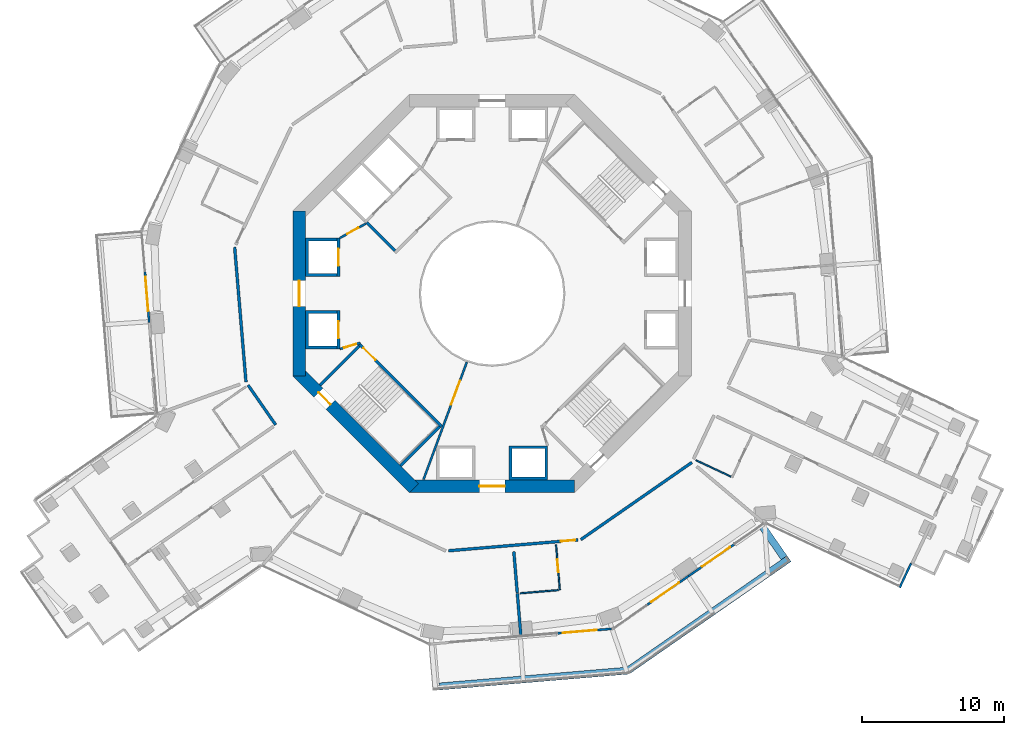
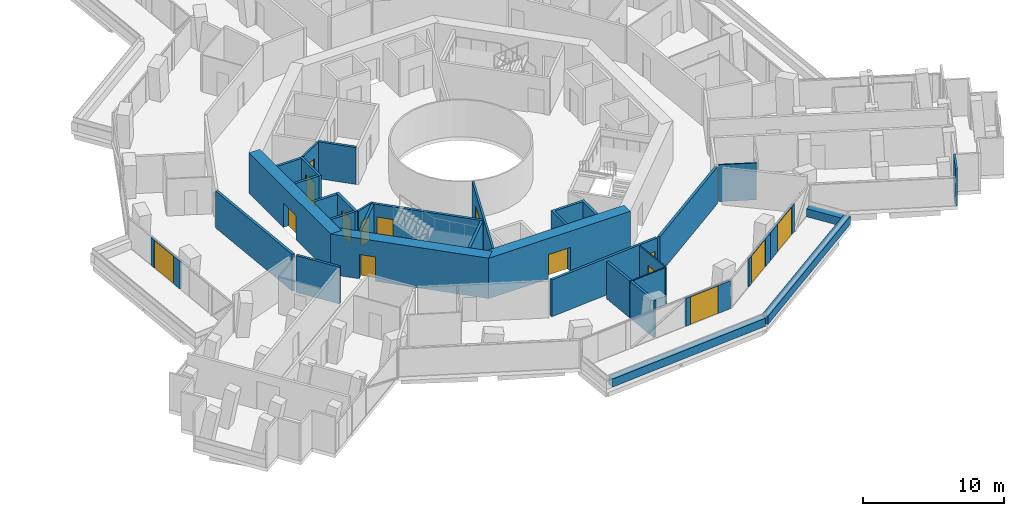
# One storey, part 19 of 26: 32 walls, 15 doors, 15 openings.
"""IFC4 building model written with IfcOpenShell, lengths in metres."""

import ifcopenshell
import ifcopenshell.guid

model = None  # the IFC model being written
_history = None  # IfcOwnerHistory: only IFC2X3 demands one
_inside = {}  # id of a spatial element -> (the spatial element, [elements in it])
_under = {}  # id of a project, library or spatial element -> (it, [spatial elements below it])
_declared = {}  # id of a project -> (the project, [libraries it declares])
_typed = {}  # id of a type object -> (the type object, [elements of that type])
_made_of = {}  # id of a material, layer set ... -> (it, [elements and type objects made of it])


def new_model(schema):
    """Start an empty IFC model of exactly this schema.

    Asked for "IFC4X3", IfcOpenShell would pick the latest addendum, in which some entities
    have other attributes; the version numbers below select the first issue.
    IFC2X3 requires an IfcOwnerHistory on every rooted entity: one is made here for all.
    """
    global model, _history
    if schema == "IFC4X3":
        model = ifcopenshell.file(schema_version=(4, 3, 0, 0))
    else:
        model = ifcopenshell.file(schema=schema)
    _inside.clear()
    _under.clear()
    _declared.clear()
    _typed.clear()
    _made_of.clear()
    _history = None
    if model.schema == "IFC2X3":
        org = make("IfcOrganization", Name="unknown")
        user = make(
            "IfcPersonAndOrganization",
            ThePerson=make("IfcPerson", FamilyName="unknown"),
            TheOrganization=org,
        )
        app = make(
            "IfcApplication",
            ApplicationDeveloper=org,
            Version="unknown",
            ApplicationFullName="unknown",
            ApplicationIdentifier="unknown",
        )
        _history = make(
            "IfcOwnerHistory",
            OwningUser=user,
            OwningApplication=app,
            ChangeAction="ADDED",
            CreationDate=0,
        )
    return model


def make(cls, **values):
    """One entity of the class cls with the attributes given. An attribute that is None is left unset."""
    return model.create_entity(
        cls, **{name: value for name, value in values.items() if value is not None}
    )


def rooted(cls, **values):
    """An entity with a GlobalId (a new one), such as an element, a storey or a relation."""
    return make(cls, GlobalId=ifcopenshell.guid.new(), OwnerHistory=_history, **values)


def si_unit(unit_type, name, prefix=None):
    """IfcSIUnit, for example si_unit("LENGTHUNIT", "METRE", prefix="MILLI")."""
    return make("IfcSIUnit", UnitType=unit_type, Prefix=prefix, Name=name)


def assignment(units):
    """IfcUnitAssignment: the units of a project."""
    return None if units is None else make("IfcUnitAssignment", Units=units)


def point(xyz):
    """IfcCartesianPoint."""
    return None if xyz is None else make("IfcCartesianPoint", Coordinates=xyz)


def direction(xyz):
    """IfcDirection."""
    return None if xyz is None else make("IfcDirection", DirectionRatios=xyz)


def frame(location, z_axis=None, x_axis=None):
    """IfcAxis2Placement3D, a coordinate frame: its origin and axes. An axis left out is left unset."""
    return make(
        "IfcAxis2Placement3D",
        Location=point(location),
        Axis=direction(z_axis),
        RefDirection=direction(x_axis),
    )


def frame_2d(location, x_axis=None):
    """IfcAxis2Placement2D, a coordinate frame in the plane: its origin and x axis."""
    return make(
        "IfcAxis2Placement2D", Location=point(location), RefDirection=direction(x_axis)
    )


def origin():
    """The frame at (0, 0, 0) with its axes left unset."""
    return frame((0.0, 0.0, 0.0))


def place(relative_to, where):
    """IfcLocalPlacement: puts the frame where relative to a parent placement (None: the world)."""
    return make(
        "IfcLocalPlacement", PlacementRelTo=relative_to, RelativePlacement=where
    )


def context(
    kind, dimensions, precision=None, world=None, true_north=None, identifier=None
):
    """IfcGeometricRepresentationContext, for example the 3D "Model" context."""
    return make(
        "IfcGeometricRepresentationContext",
        ContextIdentifier=identifier,
        ContextType=kind,
        CoordinateSpaceDimension=dimensions,
        Precision=precision,
        WorldCoordinateSystem=world,
        TrueNorth=true_north,
    )


def subcontext(parent, identifier, kind, view, scale=None):
    """IfcGeometricRepresentationSubContext, for example "Body" below "Model"."""
    return make(
        "IfcGeometricRepresentationSubContext",
        ContextIdentifier=identifier,
        ContextType=kind,
        ParentContext=parent,
        TargetScale=scale,
        TargetView=view,
    )


def project(units=None, contexts=None):
    """IfcProject with its units and contexts."""
    return rooted(
        "IfcProject",
        Name="project",
        RepresentationContexts=contexts,
        UnitsInContext=assignment(units),
    )


def spatial(cls, under=None, at=None, **own):
    """A site, building, storey or space (cls), placed at a placement, below another one or the project."""
    s = rooted(cls, ObjectPlacement=at, **own)
    if under is not None:
        _under.setdefault(under.id(), (under, []))[1].append(s)
    return s


def polyline(points):
    """IfcPolyline through the points."""
    return make("IfcPolyline", Points=[point(p) for p in points])


def profile(cls, at=None, kind="AREA", **sizes):
    """A parametric profile (cls). Its sizes go by their IFC names, for example OverallWidth=200.0."""
    return make(cls, ProfileType=kind, Position=at, **sizes)


def rectangle(**sizes):
    """IfcRectangleProfileDef."""
    return profile("IfcRectangleProfileDef", **sizes)


def outline(outer, holes=None, kind="AREA"):
    """IfcArbitraryClosedProfileDef: a profile drawn as a closed curve; with holes, ...WithVoids."""
    if holes is None:
        return make("IfcArbitraryClosedProfileDef", ProfileType=kind, OuterCurve=outer)
    return make(
        "IfcArbitraryProfileDefWithVoids",
        ProfileType=kind,
        OuterCurve=outer,
        InnerCurves=holes,
    )


def extrude(swept, where, along, depth):
    """IfcExtrudedAreaSolid: the profile swept, set in the frame where, extruded along a direction by depth."""
    return make(
        "IfcExtrudedAreaSolid",
        SweptArea=swept,
        Position=where,
        ExtrudedDirection=direction(along),
        Depth=depth,
    )


def shape(context_of_items, identifier, shape_type, items):
    """IfcShapeRepresentation: the items that make up one representation, for example the "Body"."""
    return make(
        "IfcShapeRepresentation",
        ContextOfItems=context_of_items,
        RepresentationIdentifier=identifier,
        RepresentationType=shape_type,
        Items=items,
    )


def material(Name=None, Category=None):
    """IfcMaterial."""
    return make("IfcMaterial", Name=Name, Category=Category)


def layer(
    of_material, thickness, ventilated=None, Name=None, Category=None, Priority=None
):
    """IfcMaterialLayer: one layer of a wall or slab, of a material (None: an air gap)."""
    return make(
        "IfcMaterialLayer",
        Material=of_material,
        LayerThickness=thickness,
        IsVentilated=ventilated,
        Name=Name,
        Category=Category,
        Priority=Priority,
    )


def layer_set(layers, Name=None):
    """IfcMaterialLayerSet."""
    return make("IfcMaterialLayerSet", MaterialLayers=layers, LayerSetName=Name)


def made_of(thing, what):
    """Note that an element or type object is made of a material, layer set ...; save() writes the relation."""
    if what is not None:
        _made_of.setdefault(what.id(), (what, []))[1].append(thing)
    return thing


def type_object(cls, material=None, **own):
    """A type object (cls), such as IfcWallType, which elements share."""
    return made_of(rooted(cls, **own), material)


def element(
    cls,
    number,
    at=None,
    inside=None,
    cuts=None,
    type_object=None,
    material=None,
    context=None,
    identifier="Body",
    shape_type=None,
    held_by="IfcProductDefinitionShape",
    body=None,
    shapes=None,
    **own,
):
    """One element of the class cls, such as IfcWall. Its Tag is "e" and its number.

    at: its placement. inside: the storey or other place that contains it. cuts: it is an
    opening in that element (IfcRelVoidsElement). A single representation is given by context,
    identifier, shape_type and body (its items); several are given by shapes. held_by: the class
    of the entity that holds the representations. save() writes the other relations.
    """
    e = rooted(cls, Tag="e%d" % number, ObjectPlacement=at, **own)
    if body is not None:
        shapes = [shape(context, identifier, shape_type, body)]
    if shapes is not None:
        e.Representation = make(held_by, Representations=shapes)
    if inside is not None:
        _inside.setdefault(inside.id(), (inside, []))[1].append(e)
    if cuts is not None:
        rooted(
            "IfcRelVoidsElement", RelatingBuildingElement=cuts, RelatedOpeningElement=e
        )
    if type_object is not None:
        _typed.setdefault(type_object.id(), (type_object, []))[1].append(e)
    return made_of(e, material)


def fill(opening, filler):
    """IfcRelFillsElement: the door or window that sits in an opening."""
    return rooted(
        "IfcRelFillsElement",
        RelatingOpeningElement=opening,
        RelatedBuildingElement=filler,
    )


def aggregate(whole, parts):
    """IfcRelAggregates: a whole, such as a stair, and the parts it consists of."""
    return rooted("IfcRelAggregates", RelatingObject=whole, RelatedObjects=parts)


def save(model, path):
    """Write the relations noted so far, then the file.

    IfcRelAggregates (storeys below a building ...), IfcRelContainedInSpatialStructure (elements
    in a storey), IfcRelDefinesByType, IfcRelAssociatesMaterial and IfcRelDeclares: one each for
    every whole, place, type object, material and project.
    """
    for whole, parts in _under.values():
        aggregate(whole, parts)
    for where, things in _inside.values():
        rooted(
            "IfcRelContainedInSpatialStructure",
            RelatedElements=things,
            RelatingStructure=where,
        )
    for kind, things in _typed.values():
        rooted("IfcRelDefinesByType", RelatedObjects=things, RelatingType=kind)
    for what, things in _made_of.values():
        rooted("IfcRelAssociatesMaterial", RelatedObjects=things, RelatingMaterial=what)
    for by, libraries in _declared.values():
        rooted("IfcRelDeclares", RelatingContext=by, RelatedDefinitions=libraries)
    model.write(path)


model = new_model("IFC4")

# Units and contexts
model_context = context("Model", 3, precision=1e-05, world=origin(), true_north=direction((0.0, 1.0)))
body_context = subcontext(model_context, "Body", "Model", "MODEL_VIEW")
ifc_project = project(units=[si_unit("LENGTHUNIT", "METRE"), si_unit("AREAUNIT", "SQUARE_METRE"), si_unit("VOLUMEUNIT", "CUBIC_METRE"), si_unit("PLANEANGLEUNIT", "RADIAN"), si_unit("MASSUNIT", "GRAM", prefix="KILO")], contexts=[model_context])

# Site, building, storey
site_placement = place(None, origin())
site = spatial("IfcSite", under=ifc_project, at=site_placement, CompositionType="ELEMENT")
building_placement = place(site_placement, origin())
building = spatial("IfcBuilding", under=site, at=building_placement, Name="Verdalira Terraces Hotel", CompositionType="ELEMENT")
storey_placement = place(building_placement, frame((0.0, 0.0, 53.0)))
storey = spatial("IfcBuildingStorey", under=building, at=storey_placement, Name="L11", CompositionType="ELEMENT", Elevation=53.0)

# Walls
ifc_material_1 = material(Name="Concrete C40", Category="concrete")
ifc_layer_1 = layer(ifc_material_1, 0.5)
ifc_layer_set_1 = layer_set([ifc_layer_1], Name="Balcony planter trough with tree")
wall_type_1 = type_object("IfcWallType", Name="Balcony planter trough with tree", PredefinedType="SOLIDWALL", material=ifc_layer_set_1)
wall_1_placement = place(storey_placement, frame((-3.702148, -27.61499, 0.0), z_axis=(0.0, 0.0, 1.0), x_axis=(0.996493228, 0.083673454, 0.0)))
element("IfcWall", 1, at=wall_1_placement, inside=storey, type_object=wall_type_1, Name="Balcony planter", PredefinedType="SOLIDWALL", context=body_context, shape_type="SweptSolid", body=[
    extrude(rectangle(XDim=13.223389, YDim=0.5, at=frame_2d((6.611816, 0.0))), origin(), (0.0, 0.0, 1.0), 0.699951),
])
wall_2_placement = place(storey_placement, frame((9.59668, -26.4646, 0.0), z_axis=(0.0, 0.0, 1.0), x_axis=(0.821154593, 0.570705822, 0.0)))
element("IfcWall", 2, at=wall_2_placement, inside=storey, type_object=wall_type_1, Name="Balcony planter", PredefinedType="SOLIDWALL", context=body_context, shape_type="SweptSolid", body=[
    extrude(rectangle(XDim=13.723389, YDim=0.5, at=frame_2d((6.861816, 0.0))), origin(), (0.0, 0.0, 1.0), 0.699951),
])
wall_3_placement = place(storey_placement, frame((20.517578, -18.569824, 0.0), z_axis=(0.0, 0.0, 1.0), x_axis=(-0.570690734, 0.821165079, 0.0)))
element("IfcWall", 3, at=wall_3_placement, inside=storey, type_object=wall_type_1, Name="Balcony planter", PredefinedType="SOLIDWALL", context=body_context, shape_type="SweptSolid", body=[
    extrude(rectangle(XDim=2.698975, YDim=0.5, at=frame_2d((1.349609, 0.0))), origin(), (0.0, 0.0, 1.0), 0.699951),
])
ifc_material_2 = material(Name="Moisture-resistant gypsum board partition")
ifc_layer_2 = layer(ifc_material_2, 0.10009765625)
ifc_layer_set_2 = layer_set([ifc_layer_2], Name="Bathroom partition 100 mm")
wall_type_2 = type_object("IfcWallType", Name="Bathroom partition 100 mm", PredefinedType="PARTITIONING", material=ifc_layer_set_2)
wall_4_placement = place(storey_placement, frame((4.6604, -20.841553, 0.0), z_axis=(0.0, 0.0, 1.0), x_axis=(-0.996496321, -0.083636612, 0.0)))
element("IfcWall", 4, at=wall_4_placement, inside=storey, type_object=wall_type_2, Name="Bathroom partition", PredefinedType="PARTITIONING", context=body_context, shape_type="SweptSolid", body=[
    extrude(rectangle(XDim=2.700195, YDim=0.100098, at=frame_2d((1.350098, 0.0))), origin(), (0.0, 0.0, 1.0), 3.189941),
])

# Wall, opening, door
wall_5_placement = place(storey_placement, frame((4.76001, -20.833008, 0.0), z_axis=(0.0, 0.0, 1.0), x_axis=(-0.083695813, 0.99649135, 0.0)))
wall_5 = element("IfcWall", 5, at=wall_5_placement, inside=storey, type_object=wall_type_2, Name="Bathroom partition", PredefinedType="PARTITIONING", context=body_context, shape_type="SweptSolid", body=[
    extrude(rectangle(XDim=3.199951, YDim=0.100098, at=frame_2d((1.600098, 0.0))), origin(), (0.0, 0.0, 1.0), 3.189941),
])
opening_1_placement = place(wall_5_placement, frame((1.25, 0.0, 0.0)))
opening_1 = element("IfcOpeningElement", 6, at=opening_1_placement, cuts=wall_5, Name="Opening L11-124", PredefinedType="OPENING", context=body_context, shape_type="SweptSolid", body=[
    extrude(rectangle(XDim=0.899902, YDim=2.100098, at=frame_2d((0.449951, 1.050049))), frame((0.0, 0.060059, 0.0), z_axis=(0.0, -1.0, 0.0), x_axis=(1.0, 0.0, 0.0)), (0.0, 0.0, 1.0), 0.120117),
])
ifc_material_3 = material(Name="Timber door", Category="wood")
door_type_1 = type_object("IfcDoorType", Name="Bathroom door 900 x 2100", OperationType="NOTDEFINED", PredefinedType="DOOR", material=ifc_material_3)
door_1_placement = place(opening_1_placement, origin())
door_1 = element("IfcDoor", 7, at=door_1_placement, inside=storey, type_object=door_type_1, Name="Bathroom door 1110", OperationType="SINGLE_SWING_LEFT", OverallHeight=2.10009765625, OverallWidth=0.89990234375, PredefinedType="DOOR", context=body_context, shape_type="SweptSolid", body=[
    extrude(rectangle(XDim=0.899902, YDim=2.100098, at=frame_2d((0.449951, 1.050049))), frame((0.0, 0.024902, 0.0), z_axis=(0.0, -1.0, 0.0), x_axis=(1.0, 0.0, 0.0)), (0.0, 0.0, 1.0), 0.050049),
])
fill(opening_1, door_1)

# Walls
wall_6_placement = place(storey_placement, frame((16.776123, -12.867676, 0.0), z_axis=(0.0, 0.0, 1.0), x_axis=(-0.904808455, 0.42581881, 0.0)))
element("IfcWall", 8, at=wall_6_placement, inside=storey, type_object=wall_type_2, Name="Bathroom partition", PredefinedType="PARTITIONING", context=body_context, shape_type="SweptSolid", body=[
    extrude(rectangle(XDim=2.699951, YDim=0.100098, at=frame_2d((1.350098, 0.0))), origin(), (0.0, 0.0, 1.0), 3.189941),
])
ifc_material_4 = material(Name="Concrete C50", Category="concrete")
ifc_layer_3 = layer(ifc_material_4, 0.199951171875)
ifc_layer_set_3 = layer_set([ifc_layer_3], Name="Core RC wall 200 C50")
wall_type_3 = type_object("IfcWallType", Name="Core RC wall 200 C50", PredefinedType="SOLIDWALL", material=ifc_layer_set_3)
wall_7_placement = place(storey_placement, origin())
element("IfcWall", 9, at=wall_7_placement, inside=storey, type_object=wall_type_3, Name="L11 shaft wall W1", PredefinedType="SOLIDWALL", context=body_context, shape_type="SweptSolid", body=[
    extrude(outline(polyline([(-13.100098, 3.899902), (-10.899902, 3.899902), (-10.899902, 3.699951), (-12.899902, 3.699951), (-12.899902, 1.399902), (-10.899902, 1.399902), (-10.899902, 1.199951), (-13.100098, 1.199951), (-13.100098, 3.899902)])), origin(), (0.0, 0.0, 1.0), 3.189941),
])

# Wall, opening, door
wall_8_placement = place(storey_placement, frame((-10.800049, 1.199951, 0.0), z_axis=(0.0, 0.0, 1.0), x_axis=(0.0, 1.0, 0.0)))
wall_8 = element("IfcWall", 10, at=wall_8_placement, inside=storey, type_object=wall_type_3, Name="L11 shaft front wall W1", PredefinedType="SOLIDWALL", context=body_context, shape_type="SweptSolid", body=[
    extrude(rectangle(XDim=2.699951, YDim=0.199951, at=frame_2d((1.350098, 0.0))), origin(), (0.0, 0.0, 1.0), 3.189941),
])
opening_2_placement = place(wall_8_placement, frame((0.75, 0.0, 0.0)))
opening_2 = element("IfcOpeningElement", 11, at=opening_2_placement, cuts=wall_8, Name="Opening LD-L11-805", PredefinedType="OPENING", context=body_context, shape_type="SweptSolid", body=[
    extrude(rectangle(XDim=1.199951, YDim=2.100098, at=frame_2d((0.600098, 1.050049))), frame((0.0, 0.109863, 0.0), z_axis=(0.0, -1.0, 0.0), x_axis=(1.0, 0.0, 0.0)), (0.0, 0.0, 1.0), 0.219971),
])
ifc_material_5 = material(Name="Stainless steel", Category="steel")
door_type_2 = type_object("IfcDoorType", Name="Landing door 1200 x 2100", OperationType="NOTDEFINED", PredefinedType="DOOR", material=ifc_material_5)
door_2_placement = place(opening_2_placement, origin())
door_2 = element("IfcDoor", 12, at=door_2_placement, inside=storey, type_object=door_type_2, Name="Lift landing door LR5 L11", OperationType="DOUBLE_DOOR_SLIDING", OverallHeight=2.10009765625, OverallWidth=1.199951171875, PredefinedType="DOOR", context=body_context, shape_type="SweptSolid", body=[
    extrude(rectangle(XDim=1.199951, YDim=2.100098, at=frame_2d((0.600098, 1.050049))), frame((0.0, 0.024902, 0.0), z_axis=(0.0, -1.0, 0.0), x_axis=(1.0, 0.0, 0.0)), (0.0, 0.0, 1.0), 0.050049),
])
fill(opening_2, door_2)

# Wall
wall_9_placement = place(storey_placement, origin())
element("IfcWall", 13, at=wall_9_placement, inside=storey, type_object=wall_type_3, Name="L11 shaft wall W2", PredefinedType="SOLIDWALL", context=body_context, shape_type="SweptSolid", body=[
    extrude(outline(polyline([(-13.100098, -3.899902), (-13.100098, -1.199951), (-10.899902, -1.199951), (-10.899902, -1.399902), (-12.899902, -1.399902), (-12.899902, -3.699951), (-10.899902, -3.699951), (-10.899902, -3.899902), (-13.100098, -3.899902)])), origin(), (0.0, 0.0, 1.0), 3.189941),
])

# Wall, opening, door
wall_10_placement = place(storey_placement, frame((-10.800049, -1.199951, 0.0), z_axis=(0.0, 0.0, 1.0), x_axis=(0.0, -1.0, 0.0)))
wall_10 = element("IfcWall", 14, at=wall_10_placement, inside=storey, type_object=wall_type_3, Name="L11 shaft front wall W2", PredefinedType="SOLIDWALL", context=body_context, shape_type="SweptSolid", body=[
    extrude(rectangle(XDim=2.699951, YDim=0.199951, at=frame_2d((1.350098, 0.0))), origin(), (0.0, 0.0, 1.0), 3.189941),
])
opening_3_placement = place(wall_10_placement, frame((0.75, 0.0, 0.0)))
opening_3 = element("IfcOpeningElement", 15, at=opening_3_placement, cuts=wall_10, Name="Opening LD-L11-806", PredefinedType="OPENING", context=body_context, shape_type="SweptSolid", body=[
    extrude(rectangle(XDim=1.199951, YDim=2.100098, at=frame_2d((0.600098, 1.050049))), frame((0.0, 0.109863, 0.0), z_axis=(0.0, -1.0, 0.0), x_axis=(1.0, 0.0, 0.0)), (0.0, 0.0, 1.0), 0.219971),
])
door_3_placement = place(opening_3_placement, origin())
door_3 = element("IfcDoor", 16, at=door_3_placement, inside=storey, type_object=door_type_2, Name="Lift landing door LR6 L11", OperationType="DOUBLE_DOOR_SLIDING", OverallHeight=2.10009765625, OverallWidth=1.199951171875, PredefinedType="DOOR", context=body_context, shape_type="SweptSolid", body=[
    extrude(rectangle(XDim=1.199951, YDim=2.100098, at=frame_2d((0.600098, 1.050049))), frame((0.0, 0.024902, 0.0), z_axis=(0.0, -1.0, 0.0), x_axis=(1.0, 0.0, 0.0)), (0.0, 0.0, 1.0), 0.050049),
])
fill(opening_3, door_3)

# Wall
wall_11_placement = place(storey_placement, origin())
element("IfcWall", 17, at=wall_11_placement, inside=storey, type_object=wall_type_3, Name="L11 shaft wall S2", PredefinedType="SOLIDWALL", context=body_context, shape_type="SweptSolid", body=[
    extrude(outline(polyline([(3.899902, -10.699951), (3.899902, -13.100098), (1.199951, -13.100098), (1.199951, -10.699951), (3.899902, -10.699951)]), holes=[polyline([(1.399902, -12.899902), (3.699951, -12.899902), (3.699951, -10.899902), (1.399902, -10.899902), (1.399902, -12.899902)])]), origin(), (0.0, 0.0, 1.0), 3.189941),
])

# Wall, opening, door
wall_12_placement = place(storey_placement, frame((-3.5354, -9.33374, 0.0), z_axis=(0.0, 0.0, 1.0), x_axis=(-0.707106781, 0.707106781, 0.0)))
wall_12 = element("IfcWall", 18, at=wall_12_placement, inside=storey, type_object=wall_type_3, Name="L11 stair ST2 front wall", PredefinedType="SOLIDWALL", context=body_context, shape_type="SweptSolid", body=[
    extrude(rectangle(XDim=8.200195, YDim=0.199951, at=frame_2d((4.100098, 0.0))), origin(), (0.0, 0.0, 1.0), 3.189941),
])
opening_4_placement = place(wall_12_placement, frame((6.600098, 0.0, 0.0)))
opening_4 = element("IfcOpeningElement", 19, at=opening_4_placement, cuts=wall_12, Name="Opening L11-810", PredefinedType="OPENING", context=body_context, shape_type="SweptSolid", body=[
    extrude(rectangle(XDim=1.199951, YDim=2.100098, at=frame_2d((0.600098, 1.050049))), frame((0.0, 0.109863, 0.0), z_axis=(0.0, -1.0, 0.0), x_axis=(1.0, 0.0, 0.0)), (0.0, 0.0, 1.0), 0.219971),
])
ifc_material_6 = material(Name="Steel fire door", Category="steel")
door_type_3 = type_object("IfcDoorType", Name="Stair door 1200 x 2100", OperationType="NOTDEFINED", PredefinedType="DOOR", material=ifc_material_6)
door_4_placement = place(opening_4_placement, origin())
door_4 = element("IfcDoor", 20, at=door_4_placement, inside=storey, type_object=door_type_3, Name="Stair door ST2 L11", OperationType="SINGLE_SWING_RIGHT", OverallHeight=2.10009765625, OverallWidth=1.199951171875, PredefinedType="DOOR", context=body_context, shape_type="SweptSolid", body=[
    extrude(rectangle(XDim=1.199951, YDim=2.100098, at=frame_2d((0.600098, 1.050049))), frame((0.0, 0.024902, 0.0), z_axis=(0.0, -1.0, 0.0), x_axis=(1.0, 0.0, 0.0)), (0.0, 0.0, 1.0), 0.050049),
])
fill(opening_4, door_4)

# Walls
for number, where, z_axis, x_axis, name in (
    (21, (-9.33374, -3.677002, 0.0), (0.0, 0.0, 1.0), (-0.707106781, -0.707106781, 0.0), "L11 stair ST2 end wall 1"),
    (22, (-3.677002, -9.33374, 0.0), (0.0, 0.0, 1.0), (-0.707106781, -0.707106781, 0.0), "L11 stair ST2 end wall 2"),
):
    element("IfcWall", number, at=place(storey_placement, frame(where, z_axis=z_axis, x_axis=x_axis)), inside=storey, type_object=wall_type_3, Name=name, PredefinedType="SOLIDWALL", context=body_context, shape_type="SweptSolid", body=[
        extrude(rectangle(XDim=3.900146, YDim=0.199951, at=frame_2d((1.950195, 0.0))), origin(), (0.0, 0.0, 1.0), 3.189941),
    ])
wall_13_placement = place(storey_placement, frame((-6.823486, 3.005127, 0.0), z_axis=(0.0, 0.0, 1.0), x_axis=(-0.707106781, 0.707106781, 0.0)))
element("IfcWall", 23, at=wall_13_placement, inside=storey, type_object=wall_type_3, Name="L11 fire lobby wall", PredefinedType="SOLIDWALL", context=body_context, shape_type="SweptSolid", body=[
    extrude(rectangle(XDim=2.800049, YDim=0.199951, at=frame_2d((1.399902, 0.0))), origin(), (0.0, 0.0, 1.0), 3.189941),
])

# Wall, opening, door
ifc_material_7 = material(Name="Gypsum board partition")
ifc_layer_4 = layer(ifc_material_7, 0.14990234375)
ifc_layer_set_4 = layer_set([ifc_layer_4], Name="Core partition 150 mm")
wall_type_4 = type_object("IfcWallType", Name="Core partition 150 mm", PredefinedType="PARTITIONING", material=ifc_layer_set_4)
wall_14_placement = place(storey_placement, frame((-8.874268, 4.914307, 0.0), z_axis=(0.0, 0.0, 1.0), x_axis=(-0.874129705, -0.485692555, 0.0)))
wall_14 = element("IfcWall", 24, at=wall_14_placement, inside=storey, type_object=wall_type_4, Name="Room partition L11", PredefinedType="PARTITIONING", context=body_context, shape_type="SweptSolid", body=[
    extrude(rectangle(XDim=2.088623, YDim=0.149902, at=frame_2d((1.044434, 0.0))), origin(), (0.0, 0.0, 1.0), 3.189941),
])
opening_5_placement = place(wall_14_placement, frame((0.594238, 0.0, 0.0)))
opening_5 = element("IfcOpeningElement", 25, at=opening_5_placement, cuts=wall_14, Name="Opening L11-821", PredefinedType="OPENING", context=body_context, shape_type="SweptSolid", body=[
    extrude(rectangle(XDim=0.899902, YDim=2.100098, at=frame_2d((0.449951, 1.050049))), frame((0.0, 0.084961, 0.0), z_axis=(0.0, -1.0, 0.0), x_axis=(1.0, 0.0, 0.0)), (0.0, 0.0, 1.0), 0.169922),
])
ifc_material_8 = material(Name="Steel fire door", Category="steel")
door_type_4 = type_object("IfcDoorType", Name="Core room door 900 x 2100", OperationType="NOTDEFINED", PredefinedType="DOOR", material=ifc_material_8)
door_5_placement = place(opening_5_placement, origin())
door_5 = element("IfcDoor", 26, at=door_5_placement, inside=storey, type_object=door_type_4, Name="Door L11 room3", OperationType="SINGLE_SWING_LEFT", OverallHeight=2.10009765625, OverallWidth=0.89990234375, PredefinedType="DOOR", context=body_context, shape_type="SweptSolid", body=[
    extrude(rectangle(XDim=0.899902, YDim=2.100098, at=frame_2d((0.449951, 1.050049))), frame((0.0, 0.024902, 0.0), z_axis=(0.0, -1.0, 0.0), x_axis=(1.0, 0.0, 0.0)), (0.0, 0.0, 1.0), 0.050049),
])
fill(opening_5, door_5)

wall_15_placement = place(storey_placement, frame((-10.699951, -3.899902, 0.0), z_axis=(0.0, 0.0, 1.0), x_axis=(0.957084567, 0.289808785, 0.0)))
wall_15 = element("IfcWall", 27, at=wall_15_placement, inside=storey, type_object=wall_type_4, Name="Room partition L11", PredefinedType="PARTITIONING", context=body_context, shape_type="SweptSolid", body=[
    extrude(rectangle(XDim=1.501221, YDim=0.149902, at=frame_2d((0.750488, 0.0))), origin(), (0.0, 0.0, 1.0), 3.189941),
])
opening_6_placement = place(wall_15_placement, frame((0.300781, 0.0, 0.0)))
opening_6 = element("IfcOpeningElement", 28, at=opening_6_placement, cuts=wall_15, Name="Opening L11-822", PredefinedType="OPENING", context=body_context, shape_type="SweptSolid", body=[
    extrude(rectangle(XDim=0.899902, YDim=2.100098, at=frame_2d((0.449951, 1.050049))), frame((0.0, 0.084961, 0.0), z_axis=(0.0, -1.0, 0.0), x_axis=(1.0, 0.0, 0.0)), (0.0, 0.0, 1.0), 0.169922),
])
door_6_placement = place(opening_6_placement, origin())
door_6 = element("IfcDoor", 29, at=door_6_placement, inside=storey, type_object=door_type_4, Name="Door L11 room4", OperationType="SINGLE_SWING_LEFT", OverallHeight=2.10009765625, OverallWidth=0.89990234375, PredefinedType="DOOR", context=body_context, shape_type="SweptSolid", body=[
    extrude(rectangle(XDim=0.899902, YDim=2.100098, at=frame_2d((0.449951, 1.050049))), frame((0.0, 0.024902, 0.0), z_axis=(0.0, -1.0, 0.0), x_axis=(1.0, 0.0, 0.0)), (0.0, 0.0, 1.0), 0.050049),
])
fill(opening_6, door_6)

wall_16_placement = place(storey_placement, frame((-1.775635, -4.812988, 0.0), z_axis=(0.0, 0.0, 1.0), x_axis=(-0.346112737, -0.93819293, 0.0)))
wall_16 = element("IfcWall", 30, at=wall_16_placement, inside=storey, type_object=wall_type_4, Name="Gallery fire partition L11", PredefinedType="PARTITIONING", context=body_context, shape_type="SweptSolid", body=[
    extrude(rectangle(XDim=8.803223, YDim=0.149902, at=frame_2d((4.401611, 0.0))), origin(), (0.0, 0.0, 1.0), 3.189941),
])
opening_7_placement = place(wall_16_placement, frame((1.399902, 0.0, 0.0)))
opening_7 = element("IfcOpeningElement", 31, at=opening_7_placement, cuts=wall_16, Name="Opening L11-825", PredefinedType="OPENING", context=body_context, shape_type="SweptSolid", body=[
    extrude(rectangle(XDim=1.800049, YDim=2.100098, at=frame_2d((0.899902, 1.050049))), frame((0.0, 0.084961, 0.0), z_axis=(0.0, -1.0, 0.0), x_axis=(1.0, 0.0, 0.0)), (0.0, 0.0, 1.0), 0.169922),
])
ifc_material_9 = material(Name="Steel fire door", Category="steel")
door_type_5 = type_object("IfcDoorType", Name="Gallery fire door pair 1800 x 2100", OperationType="NOTDEFINED", PredefinedType="DOOR", material=ifc_material_9)
door_7_placement = place(opening_7_placement, origin())
door_7 = element("IfcDoor", 32, at=door_7_placement, inside=storey, type_object=door_type_5, Name="Door L11 split5", OperationType="DOUBLE_DOOR_SINGLE_SWING", OverallHeight=2.10009765625, OverallWidth=1.800048828125, PredefinedType="DOOR", context=body_context, shape_type="SweptSolid", body=[
    extrude(rectangle(XDim=1.800049, YDim=2.100098, at=frame_2d((0.899902, 1.050049))), frame((0.0, 0.024902, 0.0), z_axis=(0.0, -1.0, 0.0), x_axis=(1.0, 0.0, 0.0)), (0.0, 0.0, 1.0), 0.050049),
])
fill(opening_7, door_7)

ifc_material_10 = material(Name="Concrete C70", Category="concrete")
ifc_layer_5 = layer(ifc_material_10, 0.89990234375)
ifc_layer_set_5 = layer_set([ifc_layer_5], Name="Core wall 900 C70")
wall_type_5 = type_object("IfcWallType", Name="Core wall 900 C70", PredefinedType="SHEAR", material=ifc_layer_set_5)
wall_17_placement = place(storey_placement, frame((-13.550049, 5.799072, 0.0), z_axis=(0.0, 0.0, 1.0), x_axis=(0.0, -1.0, 0.0)))
wall_17 = element("IfcWall", 33, at=wall_17_placement, inside=storey, type_object=wall_type_5, Name="Core wall CW-L11-5", PredefinedType="SHEAR", context=body_context, shape_type="SweptSolid", body=[
    extrude(rectangle(XDim=11.598145, YDim=0.899902, at=frame_2d((5.799072, 0.0))), origin(), (0.0, 0.0, 1.0), 3.5),
])
opening_8_placement = place(wall_17_placement, frame((4.898926, 0.0, 0.0)))
opening_8 = element("IfcOpeningElement", 34, at=opening_8_placement, cuts=wall_17, Name="Opening L11-814", PredefinedType="OPENING", context=body_context, shape_type="SweptSolid", body=[
    extrude(rectangle(XDim=1.800049, YDim=2.100098, at=frame_2d((0.899902, 1.050049))), frame((0.0, 0.459961, 0.0), z_axis=(0.0, -1.0, 0.0), x_axis=(1.0, 0.0, 0.0)), (0.0, 0.0, 1.0), 0.919922),
])
ifc_material_11 = material(Name="Steel fire door", Category="steel")
door_type_6 = type_object("IfcDoorType", Name="Core entry door pair 1800 x 2100", OperationType="NOTDEFINED", PredefinedType="DOOR", material=ifc_material_11)
door_8_placement = place(opening_8_placement, origin())
door_8 = element("IfcDoor", 35, at=door_8_placement, inside=storey, type_object=door_type_6, Name="Core entry door L11 4", OperationType="DOUBLE_DOOR_SINGLE_SWING", OverallHeight=2.10009765625, OverallWidth=1.800048828125, PredefinedType="DOOR", context=body_context, shape_type="SweptSolid", body=[
    extrude(rectangle(XDim=1.800049, YDim=2.100098, at=frame_2d((0.899902, 1.050049))), frame((0.0, 0.024902, 0.0), z_axis=(0.0, -1.0, 0.0), x_axis=(1.0, 0.0, 0.0)), (0.0, 0.0, 1.0), 0.050049),
])
fill(opening_8, door_8)

wall_18_placement = place(storey_placement, frame((-13.681885, -5.480713, 0.0), z_axis=(0.0, 0.0, 1.0), x_axis=(0.707106781, -0.707106781, 0.0)))
wall_18 = element("IfcWall", 36, at=wall_18_placement, inside=storey, type_object=wall_type_5, Name="Core wall CW-L11-6", PredefinedType="SHEAR", context=body_context, shape_type="SweptSolid", body=[
    extrude(rectangle(XDim=11.598145, YDim=0.899902, at=frame_2d((5.799072, 0.0))), origin(), (0.0, 0.0, 1.0), 3.5),
])
opening_9_placement = place(wall_18_placement, frame((2.099121, 0.0, 0.0)))
opening_9 = element("IfcOpeningElement", 37, at=opening_9_placement, cuts=wall_18, Name="Opening L11-817", PredefinedType="OPENING", context=body_context, shape_type="SweptSolid", body=[
    extrude(rectangle(XDim=1.199951, YDim=2.100098, at=frame_2d((0.600098, 1.050049))), frame((0.0, 0.459961, 0.0), z_axis=(0.0, -1.0, 0.0), x_axis=(1.0, 0.0, 0.0)), (0.0, 0.0, 1.0), 0.919922),
])
door_9_placement = place(opening_9_placement, origin())
door_9 = element("IfcDoor", 38, at=door_9_placement, inside=storey, type_object=door_type_3, Name="Stair exit door ST2 L11", OperationType="SINGLE_SWING_LEFT", OverallHeight=2.10009765625, OverallWidth=1.199951171875, PredefinedType="DOOR", context=body_context, shape_type="SweptSolid", body=[
    extrude(rectangle(XDim=1.199951, YDim=2.100098, at=frame_2d((0.600098, 1.050049))), frame((0.0, 0.024902, 0.0), z_axis=(0.0, -1.0, 0.0), x_axis=(1.0, 0.0, 0.0)), (0.0, 0.0, 1.0), 0.050049),
])
fill(opening_9, door_9)

wall_19_placement = place(storey_placement, frame((-5.799072, -13.550049, 0.0), z_axis=(0.0, 0.0, 1.0), x_axis=(1.0, 0.0, 0.0)))
wall_19 = element("IfcWall", 39, at=wall_19_placement, inside=storey, type_object=wall_type_5, Name="Core wall CW-L11-7", PredefinedType="SHEAR", context=body_context, shape_type="SweptSolid", body=[
    extrude(rectangle(XDim=11.598145, YDim=0.899902, at=frame_2d((5.799072, 0.0))), origin(), (0.0, 0.0, 1.0), 3.5),
])
opening_10_placement = place(wall_19_placement, frame((4.898926, 0.0, 0.0)))
opening_10 = element("IfcOpeningElement", 40, at=opening_10_placement, cuts=wall_19, Name="Opening L11-815", PredefinedType="OPENING", context=body_context, shape_type="SweptSolid", body=[
    extrude(rectangle(XDim=1.800049, YDim=2.100098, at=frame_2d((0.899902, 1.050049))), frame((0.0, 0.459961, 0.0), z_axis=(0.0, -1.0, 0.0), x_axis=(1.0, 0.0, 0.0)), (0.0, 0.0, 1.0), 0.919922),
])
door_10_placement = place(opening_10_placement, origin())
door_10 = element("IfcDoor", 41, at=door_10_placement, inside=storey, type_object=door_type_6, Name="Core entry door L11 6", OperationType="DOUBLE_DOOR_SINGLE_SWING", OverallHeight=2.10009765625, OverallWidth=1.800048828125, PredefinedType="DOOR", context=body_context, shape_type="SweptSolid", body=[
    extrude(rectangle(XDim=1.800049, YDim=2.100098, at=frame_2d((0.899902, 1.050049))), frame((0.0, 0.024902, 0.0), z_axis=(0.0, -1.0, 0.0), x_axis=(1.0, 0.0, 0.0)), (0.0, 0.0, 1.0), 0.050049),
])
fill(opening_10, door_10)

# Walls
ifc_material_12 = material(Name="Fire-rated gypsum board wall")
ifc_layer_6 = layer(ifc_material_12, 0.199951171875)
ifc_layer_set_6 = layer_set([ifc_layer_6], Name="Demising wall 200 mm")
wall_type_6 = type_object("IfcWallType", Name="Demising wall 200 mm", PredefinedType="SOLIDWALL", material=ifc_layer_set_6)
wall_20_placement = place(storey_placement, frame((1.523438, -18.141602, 0.0), z_axis=(0.0, 0.0, 1.0), x_axis=(0.083706209, -0.996490477, 0.0)))
element("IfcWall", 42, at=wall_20_placement, inside=storey, type_object=wall_type_6, Name="Demising wall", PredefinedType="SOLIDWALL", context=body_context, shape_type="SweptSolid", body=[
    extrude(rectangle(XDim=2.905029, YDim=0.199951, at=frame_2d((1.452637, 0.0))), origin(), (0.0, 0.0, 1.0), 3.189941),
])
wall_21_placement = place(storey_placement, frame((1.770264, -21.082031, 0.0), z_axis=(0.0, 0.0, 1.0), x_axis=(0.083695681, -0.996491361, 0.0)))
element("IfcWall", 43, at=wall_21_placement, inside=storey, type_object=wall_type_6, Name="Demising wall", PredefinedType="SOLIDWALL", context=body_context, shape_type="SweptSolid", body=[
    extrude(rectangle(XDim=2.951904, YDim=0.199951, at=frame_2d((1.476074, 0.0))), origin(), (0.0, 0.0, 1.0), 3.189941),
])
ifc_material_13 = material(Name="Fire-rated gypsum board wall")
ifc_layer_7 = layer(ifc_material_13, 0.199951171875)
ifc_layer_set_7 = layer_set([ifc_layer_7], Name="Guest corridor wall 200 mm")
wall_type_7 = type_object("IfcWallType", Name="Guest corridor wall 200 mm", PredefinedType="SOLIDWALL", material=ifc_layer_set_7)
wall_22_placement = place(storey_placement, frame((-18.094238, 3.255127, 0.0), z_axis=(0.0, 0.0, 1.0), x_axis=(0.083688801, -0.996491939, 0.0)))
element("IfcWall", 44, at=wall_22_placement, inside=storey, type_object=wall_type_7, Name="Guest corridor wall", PredefinedType="SOLIDWALL", context=body_context, shape_type="SweptSolid", body=[
    extrude(rectangle(XDim=9.516113, YDim=0.199951, at=frame_2d((4.758057, 0.0))), origin(), (0.0, 0.0, 1.0), 3.189941),
])
wall_23_placement = place(storey_placement, frame((-17.150391, -6.439697, 0.0), z_axis=(0.0, 0.0, 1.0), x_axis=(0.570654154, -0.8211905, 0.0)))
element("IfcWall", 45, at=wall_23_placement, inside=storey, type_object=wall_type_7, Name="Guest corridor wall", PredefinedType="SOLIDWALL", context=body_context, shape_type="SweptSolid", body=[
    extrude(rectangle(XDim=3.399902, YDim=0.199951, at=frame_2d((1.699951, 0.0))), origin(), (0.0, 0.0, 1.0), 3.189941),
])

# Wall, opening, door
wall_24_placement = place(storey_placement, frame((6.027832, -17.314697, 0.0), z_axis=(0.0, 0.0, 1.0), x_axis=(-0.996493661, -0.083668294, 0.0)))
wall_24 = element("IfcWall", 46, at=wall_24_placement, inside=storey, type_object=wall_type_7, Name="Guest corridor wall", PredefinedType="SOLIDWALL", context=body_context, shape_type="SweptSolid", body=[
    extrude(rectangle(XDim=9.115723, YDim=0.199951, at=frame_2d((4.557861, 0.0))), origin(), (0.0, 0.0, 1.0), 3.189941),
])
opening_11_placement = place(wall_24_placement, frame((0.199951, 0.0, 0.0)))
opening_11 = element("IfcOpeningElement", 47, at=opening_11_placement, cuts=wall_24, Name="Opening L11-123", PredefinedType="OPENING", context=body_context, shape_type="SweptSolid", body=[
    extrude(rectangle(XDim=1.0, YDim=2.100098, at=frame_2d((0.5, 1.050049))), frame((0.0, 0.109863, 0.0), z_axis=(0.0, -1.0, 0.0), x_axis=(1.0, 0.0, 0.0)), (0.0, 0.0, 1.0), 0.219971),
])
ifc_material_14 = material(Name="Timber fire door", Category="wood")
door_type_7 = type_object("IfcDoorType", Name="Guest entry door 1000 x 2100", OperationType="NOTDEFINED", PredefinedType="DOOR", material=ifc_material_14)
door_11_placement = place(opening_11_placement, origin())
door_11 = element("IfcDoor", 48, at=door_11_placement, inside=storey, type_object=door_type_7, Name="Guest entry door 1110", OperationType="SINGLE_SWING_LEFT", OverallHeight=2.10009765625, OverallWidth=1.0, PredefinedType="DOOR", context=body_context, shape_type="SweptSolid", body=[
    extrude(rectangle(XDim=1.0, YDim=2.100098, at=frame_2d((0.5, 1.050049))), frame((0.0, 0.024902, 0.0), z_axis=(0.0, -1.0, 0.0), x_axis=(1.0, 0.0, 0.0)), (0.0, 0.0, 1.0), 0.050049),
])
fill(opening_11, door_11)

# Walls
wall_25_placement = place(storey_placement, frame((6.228027, -17.297607, 0.0), z_axis=(0.0, 0.0, 1.0), x_axis=(0.821154553, 0.570705878, 0.0)))
element("IfcWall", 49, at=wall_25_placement, inside=storey, type_object=wall_type_7, Name="Guest corridor wall", PredefinedType="SOLIDWALL", context=body_context, shape_type="SweptSolid", body=[
    extrude(rectangle(XDim=9.516113, YDim=0.199951, at=frame_2d((4.758057, 0.0))), origin(), (0.0, 0.0, 1.0), 3.189941),
])
ifc_material_15 = material(Name="Terracotta cladding", Category="masonry")
ifc_layer_8 = layer(ifc_material_15, 0.14990234375)
ifc_layer_set_8 = layer_set([ifc_layer_8], Name="Terracotta clad wall 150")
wall_type_8 = type_object("IfcWallType", Name="Terracotta clad wall 150", PredefinedType="SOLIDWALL", material=ifc_layer_set_8)
wall_26_placement = place(storey_placement, frame((28.644531, -20.662842, 0.0), z_axis=(0.0, 0.0, 1.0), x_axis=(0.42562773, 0.904898356, 0.0)))
element("IfcWall", 50, at=wall_26_placement, inside=storey, type_object=wall_type_8, Name="Terracotta cladding wall", PredefinedType="SOLIDWALL", context=body_context, shape_type="SweptSolid", body=[
    extrude(rectangle(XDim=1.875, YDim=0.149902, at=frame_2d((0.9375, 0.0))), origin(), (0.0, 0.0, 1.0), 3.189941),
])

# Wall, opening, door
ifc_material_16 = material(Name="Terracotta cladding", Category="masonry")
ifc_layer_9 = layer(ifc_material_16, 0.14990234375)
ifc_layer_set_9 = layer_set([ifc_layer_9], Name="Terracotta door pier 150")
wall_type_9 = type_object("IfcWallType", Name="Terracotta door pier 150", PredefinedType="SOLIDWALL", material=ifc_layer_set_9)
wall_27_placement = place(storey_placement, frame((-24.399658, 1.563721, 0.0), z_axis=(0.0, 0.0, 1.0), x_axis=(0.083617932, -0.996497888, 0.0)))
wall_27 = element("IfcWall", 51, at=wall_27_placement, inside=storey, type_object=wall_type_9, Name="Terracotta door pier", PredefinedType="SOLIDWALL", context=body_context, shape_type="SweptSolid", body=[
    extrude(rectangle(XDim=3.600098, YDim=0.149902, at=frame_2d((1.800049, 0.0))), origin(), (0.0, 0.0, 1.0), 2.425049),
])
opening_12_placement = place(wall_27_placement, frame((0.399902, 0.0, 0.0)))
opening_12 = element("IfcOpeningElement", 52, at=opening_12_placement, cuts=wall_27, Name="Opening L11-B09", PredefinedType="OPENING", context=body_context, shape_type="SweptSolid", body=[
    extrude(rectangle(XDim=2.399902, YDim=2.399902, at=frame_2d((1.199951, 1.199951))), frame((0.0, 0.084961, 0.0), z_axis=(0.0, -1.0, 0.0), x_axis=(1.0, 0.0, 0.0)), (0.0, 0.0, 1.0), 0.169922),
])
ifc_material_17 = material(Name="Clear glass", Category="glass")
door_type_8 = type_object("IfcDoorType", Name="Balcony sliding door 2400x2400", OperationType="NOTDEFINED", PredefinedType="DOOR", material=ifc_material_17)
door_12_placement = place(opening_12_placement, origin())
door_12 = element("IfcDoor", 53, at=door_12_placement, inside=storey, type_object=door_type_8, Name="Balcony sliding door", OperationType="SLIDING_TO_RIGHT", OverallHeight=2.39990234375, OverallWidth=2.39990234375, PredefinedType="DOOR", context=body_context, shape_type="SweptSolid", body=[
    extrude(rectangle(XDim=2.399902, YDim=2.399902, at=frame_2d((1.199951, 1.199951))), frame((0.0, 0.024902, 0.0), z_axis=(0.0, -1.0, 0.0), x_axis=(1.0, 0.0, 0.0)), (0.0, 0.0, 1.0), 0.050049),
])
fill(opening_12, door_12)

wall_28_placement = place(storey_placement, frame((4.572754, -23.884521, 0.0), z_axis=(0.0, 0.0, 1.0), x_axis=(0.996491197, 0.083697634, 0.0)))
wall_28 = element("IfcWall", 54, at=wall_28_placement, inside=storey, type_object=wall_type_9, Name="Terracotta door pier", PredefinedType="SOLIDWALL", context=body_context, shape_type="SweptSolid", body=[
    extrude(rectangle(XDim=3.841553, YDim=0.149902, at=frame_2d((1.920898, 0.0))), origin(), (0.0, 0.0, 1.0), 2.425049),
])
opening_13_placement = place(wall_28_placement, frame((0.399902, 0.0, 0.0)))
opening_13 = element("IfcOpeningElement", 55, at=opening_13_placement, cuts=wall_28, Name="Opening L11-B12", PredefinedType="OPENING", context=body_context, shape_type="SweptSolid", body=[
    extrude(rectangle(XDim=2.399902, YDim=2.399902, at=frame_2d((1.199951, 1.199951))), frame((0.0, 0.084961, 0.0), z_axis=(0.0, -1.0, 0.0), x_axis=(1.0, 0.0, 0.0)), (0.0, 0.0, 1.0), 0.169922),
])
door_13_placement = place(opening_13_placement, origin())
door_13 = element("IfcDoor", 56, at=door_13_placement, inside=storey, type_object=door_type_8, Name="Balcony sliding door", OperationType="SLIDING_TO_RIGHT", OverallHeight=2.39990234375, OverallWidth=2.39990234375, PredefinedType="DOOR", context=body_context, shape_type="SweptSolid", body=[
    extrude(rectangle(XDim=2.399902, YDim=2.399902, at=frame_2d((1.199951, 1.199951))), frame((0.0, 0.024902, 0.0), z_axis=(0.0, -1.0, 0.0), x_axis=(1.0, 0.0, 0.0)), (0.0, 0.0, 1.0), 0.050049),
])
fill(opening_13, door_13)

wall_29_placement = place(storey_placement, frame((10.845703, -21.912598, 0.0), z_axis=(0.0, 0.0, 1.0), x_axis=(0.821158084, 0.570700799, 0.0)))
wall_29 = element("IfcWall", 57, at=wall_29_placement, inside=storey, type_object=wall_type_9, Name="Terracotta door pier", PredefinedType="SOLIDWALL", context=body_context, shape_type="SweptSolid", body=[
    extrude(rectangle(XDim=3.599854, YDim=0.149902, at=frame_2d((1.799805, 0.0))), origin(), (0.0, 0.0, 1.0), 2.425049),
])
opening_14_placement = place(wall_29_placement, frame((0.399902, 0.0, 0.0)))
opening_14 = element("IfcOpeningElement", 58, at=opening_14_placement, cuts=wall_29, Name="Opening L11-B13", PredefinedType="OPENING", context=body_context, shape_type="SweptSolid", body=[
    extrude(rectangle(XDim=2.399902, YDim=2.399902, at=frame_2d((1.199951, 1.199951))), frame((0.0, 0.084961, 0.0), z_axis=(0.0, -1.0, 0.0), x_axis=(1.0, 0.0, 0.0)), (0.0, 0.0, 1.0), 0.169922),
])
door_14_placement = place(opening_14_placement, origin())
door_14 = element("IfcDoor", 59, at=door_14_placement, inside=storey, type_object=door_type_8, Name="Balcony sliding door", OperationType="SLIDING_TO_RIGHT", OverallHeight=2.39990234375, OverallWidth=2.39990234375, PredefinedType="DOOR", context=body_context, shape_type="SweptSolid", body=[
    extrude(rectangle(XDim=2.399902, YDim=2.399902, at=frame_2d((1.199951, 1.199951))), frame((0.0, 0.024902, 0.0), z_axis=(0.0, -1.0, 0.0), x_axis=(1.0, 0.0, 0.0)), (0.0, 0.0, 1.0), 0.050049),
])
fill(opening_14, door_14)

wall_30_placement = place(storey_placement, frame((13.801758, -19.858154, 0.0), z_axis=(0.0, 0.0, 1.0), x_axis=(0.821158921, 0.570699594, 0.0)))
wall_30 = element("IfcWall", 60, at=wall_30_placement, inside=storey, type_object=wall_type_9, Name="Terracotta door pier", PredefinedType="SOLIDWALL", context=body_context, shape_type="SweptSolid", body=[
    extrude(rectangle(XDim=3.960449, YDim=0.149902, at=frame_2d((1.980225, 0.0))), origin(), (0.0, 0.0, 1.0), 2.425049),
])
opening_15_placement = place(wall_30_placement, frame((1.1604, 0.0, 0.0)))
opening_15 = element("IfcOpeningElement", 61, at=opening_15_placement, cuts=wall_30, Name="Opening L11-B14", PredefinedType="OPENING", context=body_context, shape_type="SweptSolid", body=[
    extrude(rectangle(XDim=2.399902, YDim=2.399902, at=frame_2d((1.199951, 1.199951))), frame((0.0, 0.084961, 0.0), z_axis=(0.0, -1.0, 0.0), x_axis=(1.0, 0.0, 0.0)), (0.0, 0.0, 1.0), 0.169922),
])
door_15_placement = place(opening_15_placement, origin())
door_15 = element("IfcDoor", 62, at=door_15_placement, inside=storey, type_object=door_type_8, Name="Balcony sliding door", OperationType="SLIDING_TO_LEFT", OverallHeight=2.39990234375, OverallWidth=2.39990234375, PredefinedType="DOOR", context=body_context, shape_type="SweptSolid", body=[
    extrude(rectangle(XDim=2.399902, YDim=2.399902, at=frame_2d((1.199951, 1.199951))), frame((0.0, 0.024902, 0.0), z_axis=(0.0, -1.0, 0.0), x_axis=(1.0, 0.0, 0.0)), (0.0, 0.0, 1.0), 0.050049),
])
fill(opening_15, door_15)

save(model, "model.ifc")
